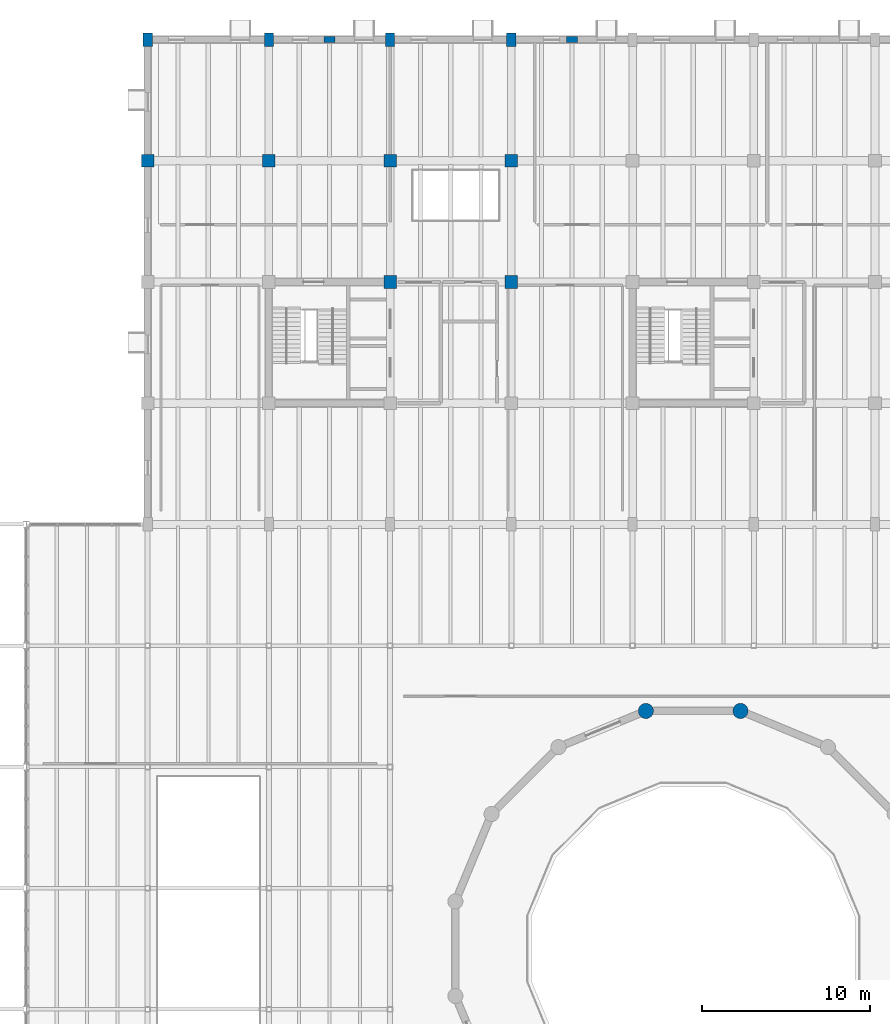
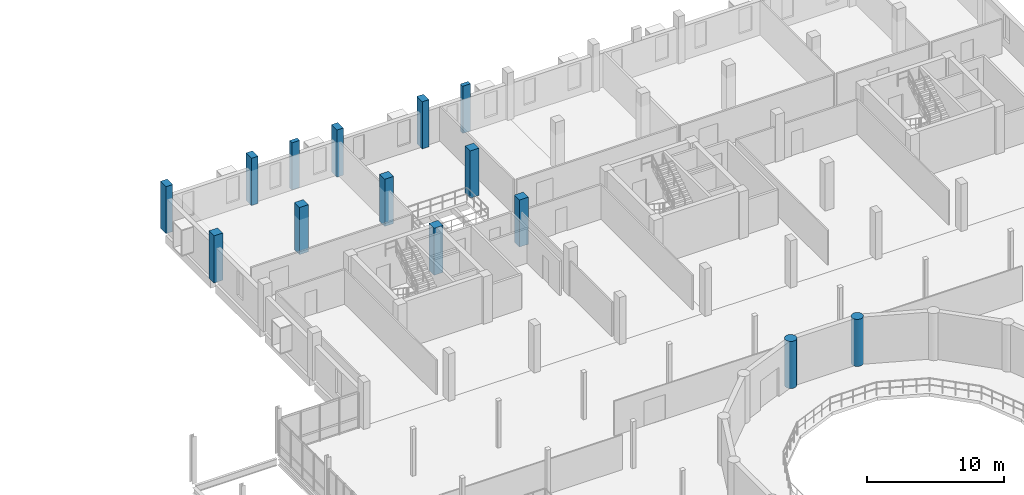
# One storey, part 11 of 72: 14 columns.
"""IFC4 building model written with IfcOpenShell, lengths in metres."""

from ifc_helpers import new_model, si_unit, direction, frame, origin, origin_2d, place, context, subcontext, project, spatial, rectangle, circle, extrude, material, material_profile, profile_set, type_object, element, save


model = new_model("IFC4")

# Units and contexts
model_context = context("Model", 3, precision=1e-05, world=origin(), true_north=direction((0.0, 1.0)))
body_context = subcontext(model_context, "Body", "Model", "MODEL_VIEW")
ifc_project = project(units=[si_unit("LENGTHUNIT", "METRE"), si_unit("AREAUNIT", "SQUARE_METRE"), si_unit("VOLUMEUNIT", "CUBIC_METRE"), si_unit("PLANEANGLEUNIT", "RADIAN"), si_unit("MASSUNIT", "GRAM", prefix="KILO")], contexts=[model_context])

# Site, building, storey
site_placement = place(None, origin())
site = spatial("IfcSite", under=ifc_project, at=site_placement, CompositionType="ELEMENT")
building_placement = place(site_placement, origin())
building = spatial("IfcBuilding", under=site, at=building_placement, Name="Qiaolan Assembly House", CompositionType="ELEMENT")
storey_placement = place(building_placement, frame((0.0, 0.0, 10.199951171875)))
storey = spatial("IfcBuildingStorey", under=building, at=storey_placement, Name="L02", CompositionType="ELEMENT", Elevation=10.199951171875)

# Columns
ifc_material_1 = material(Name="Concrete C50/60", Category="concrete")
ifc_material_profile_1 = material_profile(ifc_material_1, circle(Radius=0.449951171875, at=origin_2d()), Name="CIRC D900")
ifc_profile_set_1 = profile_set([ifc_material_profile_1], Name="Concrete C50/60")
column_type_1 = type_object("IfcColumnType", Name="COL-DRUM-D900", PredefinedType="COLUMN", material=ifc_profile_set_1)
for number, where, z_axis, x_axis, name in (
    (1, (71.209228515625, 75.3232421875, 0.0), (0.0, 0.0, 1.0), (1.0, 0.0, 0.0), "DC-03 chamber drum pier 4 L02"),
    (2, (65.5908203125, 75.3232421875, 0.0), (0.0, 0.0, 1.0), (1.0, 0.0, 0.0), "DC-03 chamber drum pier 5 L02"),
):
    element("IfcColumn", number, at=place(storey_placement, frame(where, z_axis=z_axis, x_axis=x_axis)), inside=storey, type_object=column_type_1, Name=name, PredefinedType="COLUMN", context=body_context, shape_type="SweptSolid", body=[
        extrude(circle(Radius=0.449951171875, at=origin_2d()), origin(), (0.0, 0.0, 1.0), 4.199951171875),
    ])
ifc_material_2 = material(Name="Concrete C45/55", Category="concrete")
ifc_material_profile_2 = material_profile(ifc_material_2, rectangle(XDim=0.75, YDim=0.75, at=origin_2d()), Name="RC 750x750")
ifc_profile_set_2 = profile_set([ifc_material_profile_2], Name="Concrete C45/55")
column_type_2 = type_object("IfcColumnType", Name="COL-RC-750", PredefinedType="COLUMN", material=ifc_profile_set_2)
for number, where, z_axis, x_axis, name in (
    (3, (36.0, 108.0, 0.0), (0.0, 0.0, 1.0), (1.0, 0.0, 0.0), "RC-06 column NW L02"),
    (4, (43.199951171875, 108.0, 0.0), (0.0, 0.0, 1.0), (1.0, 0.0, 0.0), "RC-06 column NW L02"),
    (5, (50.39990234375, 100.800048828125, 0.0), (0.0, 0.0, 1.0), (1.0, 0.0, 0.0), "RC-06 column NW L02"),
    (6, (50.39990234375, 108.0, 0.0), (0.0, 0.0, 1.0), (1.0, 0.0, 0.0), "RC-06 column NW L02"),
    (7, (57.60009765625, 100.800048828125, 0.0), (0.0, 0.0, 1.0), (1.0, 0.0, 0.0), "RC-06 column NW L02"),
    (8, (57.60009765625, 108.0, 0.0), (0.0, 0.0, 1.0), (1.0, 0.0, 0.0), "RC-06 column NW L02"),
):
    element("IfcColumn", number, at=place(storey_placement, frame(where, z_axis=z_axis, x_axis=x_axis)), inside=storey, type_object=column_type_2, Name=name, PredefinedType="COLUMN", context=body_context, shape_type="SweptSolid", body=[
        extrude(rectangle(XDim=0.75, YDim=0.75, at=origin_2d()), origin(), (0.0, 0.0, 1.0), 4.199951171875),
    ])
ifc_material_profile_3 = material_profile(ifc_material_2, rectangle(XDim=0.550048828125, YDim=0.800048828125, at=origin_2d()), Name="RC 800x550")
ifc_profile_set_3 = profile_set([ifc_material_profile_3], Name="Concrete C45/55")
column_type_3 = type_object("IfcColumnType", Name="COL-RC-800x550", PredefinedType="COLUMN", material=ifc_profile_set_3)
for number, where, z_axis, x_axis, name in (
    (9, (36.0, 115.199951171875, 0.0), (0.0, 0.0, 1.0), (1.0, 0.0, 0.0), "RC-14 column NW L02"),
    (10, (43.199951171875, 115.199951171875, 0.0), (0.0, 0.0, 1.0), (1.0, 0.0, 0.0), "RC-14 column NW L02"),
    (11, (50.39990234375, 115.199951171875, 0.0), (0.0, 0.0, 1.0), (1.0, 0.0, 0.0), "RC-14 column NW L02"),
    (12, (57.60009765625, 115.199951171875, 0.0), (0.0, 0.0, 1.0), (1.0, 0.0, 0.0), "RC-14 column NW L02"),
):
    element("IfcColumn", number, at=place(storey_placement, frame(where, z_axis=z_axis, x_axis=x_axis)), inside=storey, type_object=column_type_3, Name=name, PredefinedType="COLUMN", context=body_context, shape_type="SweptSolid", body=[
        extrude(rectangle(XDim=0.550048828125, YDim=0.800048828125, at=origin_2d()), origin(), (0.0, 0.0, 1.0), 4.199951171875),
    ])
ifc_material_3 = material(Name="Precast concrete C45/55", Category="concrete")
ifc_material_profile_4 = material_profile(ifc_material_3, rectangle(XDim=0.64990234375, YDim=0.35009765625, at=origin_2d()), Name="PIL 650x350")
ifc_profile_set_4 = profile_set([ifc_material_profile_4], Name="Precast concrete C45/55")
column_type_4 = type_object("IfcColumnType", Name="PIL-NW-650x350", PredefinedType="PILASTER", material=ifc_profile_set_4)
for number, where, z_axis, x_axis, name in (
    (13, (46.800048828125, 115.199951171875, 0.0), (0.0, 0.0, 1.0), (1.0, 0.0, 0.0), "PL-02 neoclassical pilaster NW L02"),
    (14, (61.199951171875, 115.199951171875, 0.0), (0.0, 0.0, 1.0), (1.0, 0.0, 0.0), "PL-02 neoclassical pilaster NW L02"),
):
    element("IfcColumn", number, at=place(storey_placement, frame(where, z_axis=z_axis, x_axis=x_axis)), inside=storey, type_object=column_type_4, Name=name, PredefinedType="PILASTER", context=body_context, shape_type="SweptSolid", body=[
        extrude(rectangle(XDim=0.64990234375, YDim=0.35009765625, at=origin_2d()), origin(), (0.0, 0.0, 1.0), 4.199951171875),
    ])

save(model, "model.ifc")
